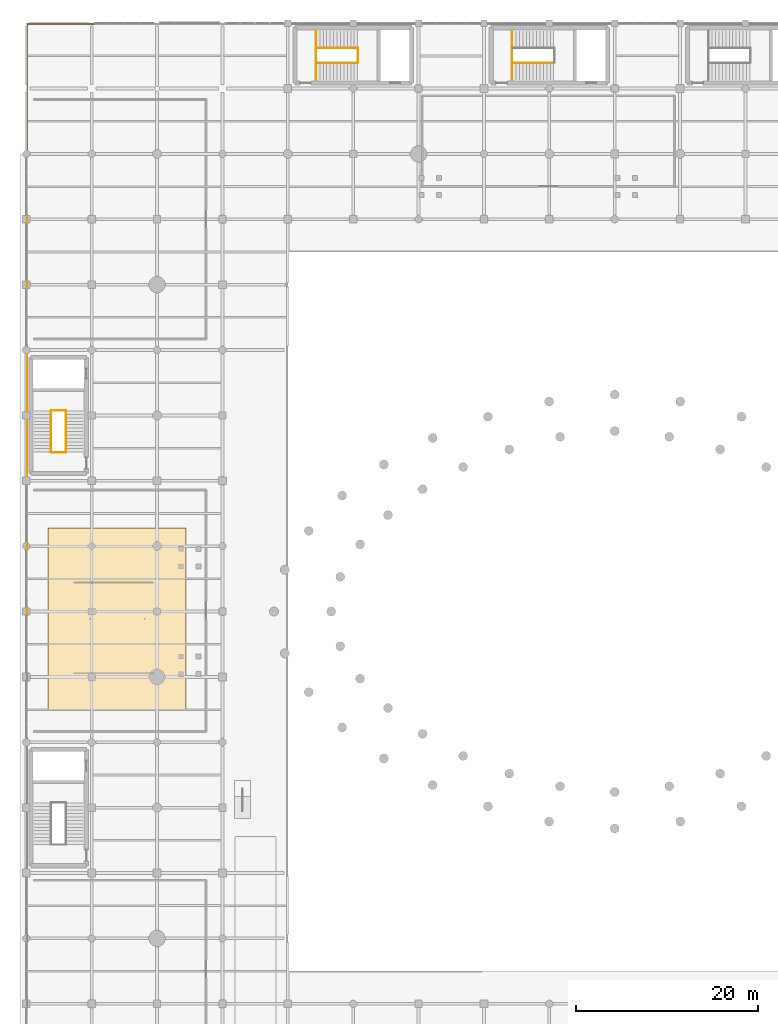
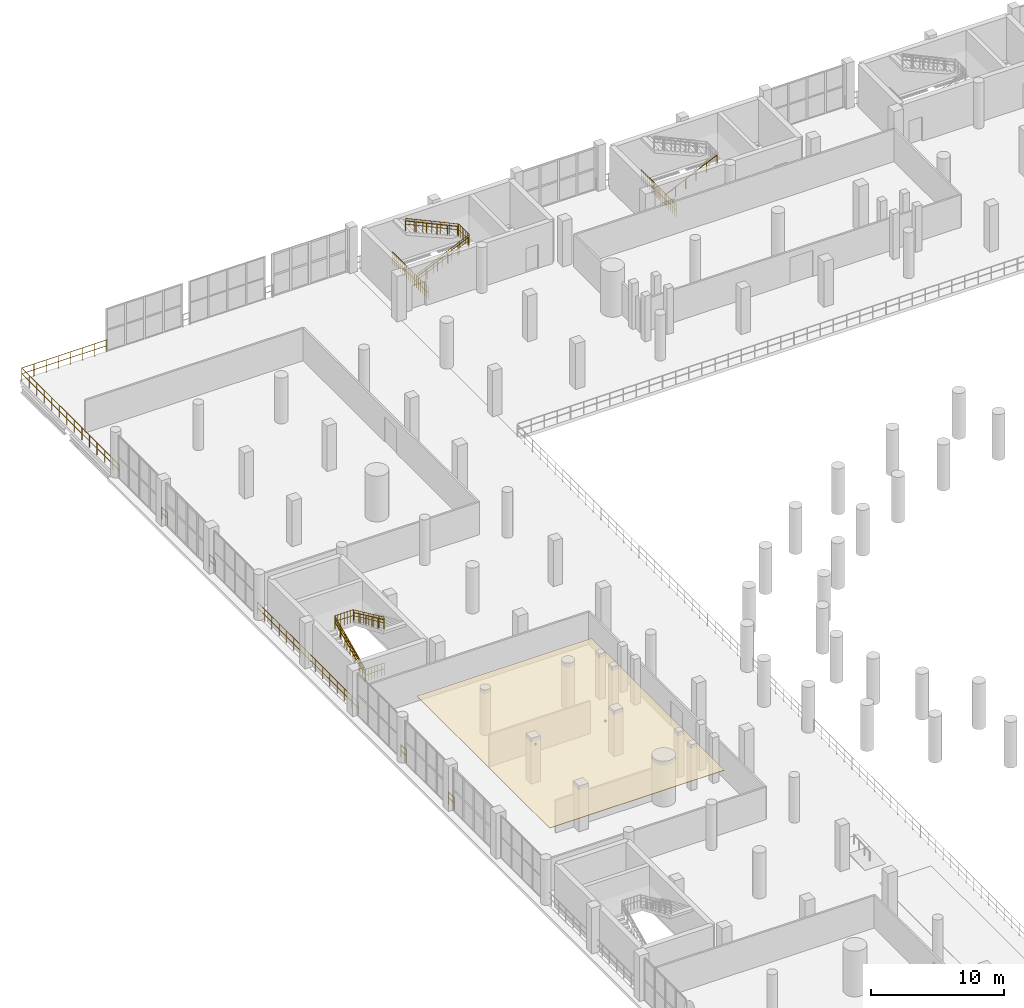
# One storey, part 147 of 153: 20 railings, 1 covering.
"""IFC4 building model written with IfcOpenShell, lengths in metres."""

from ifc_helpers import new_model, si_unit, direction, frame, origin, origin_2d, place, context, subcontext, project, spatial, polyline, circle, outline, extrude, material, layer, layer_set, type_object, element, save


model = new_model("IFC4")

# Units and contexts
model_context = context("Model", 3, precision=1e-05, world=origin(), true_north=direction((0.0, 1.0)))
body_context = subcontext(model_context, "Body", "Model", "MODEL_VIEW")
ifc_project = project(units=[si_unit("LENGTHUNIT", "METRE"), si_unit("AREAUNIT", "SQUARE_METRE"), si_unit("VOLUMEUNIT", "CUBIC_METRE"), si_unit("PLANEANGLEUNIT", "RADIAN"), si_unit("MASSUNIT", "GRAM", prefix="KILO")], contexts=[model_context])

# Site, building, storey
site_placement = place(None, origin())
site = spatial("IfcSite", under=ifc_project, at=site_placement, CompositionType="ELEMENT")
building_placement = place(site_placement, origin())
building = spatial("IfcBuilding", under=site, at=building_placement, Name="Qandorah Velis Arena", CompositionType="ELEMENT")
storey_placement = place(building_placement, frame((0.0, 0.0, 5.39990234375)))
storey = spatial("IfcBuildingStorey", under=building, at=storey_placement, Name="L01", CompositionType="ELEMENT", Elevation=5.39990234375)

# Covering
ifc_material_1 = material(Name="Perforated mineral-fibre acoustic ceiling cloud", Category="gypsum")
ifc_layer = layer(ifc_material_1, 0.044921875)
ifc_layer_set = layer_set([ifc_layer], Name="Perforated mineral-fibre acoustic ceiling cloud")
covering_type = type_object("IfcCoveringType", Name="ARC-COV-CEIL", PredefinedType="CEILING", material=ifc_layer_set)
covering_placement = place(storey_placement, frame((0.0, 0.0, 3.775146484375)))
element("IfcCovering", 1, at=covering_placement, inside=storey, type_object=covering_type, Name="Acoustic ceiling cloud AC-02", PredefinedType="CEILING", context=body_context, shape_type="SweptSolid", body=[
    extrude(outline(polyline([(2.39990234375, 54.0), (17.60009765625, 54.0), (17.60009765625, 74.0), (2.39990234375, 74.0), (2.39990234375, 54.0)])), origin(), (0.0, 0.0, 1.0), 0.044921875),
])

# Railings
ifc_material_2 = material(Name="Stainless steel 316", Category="steel")
railing_type_1 = type_object("IfcRailingType", Name="ARC-RL-GRD1150", PredefinedType="GUARDRAIL", material=ifc_material_2)
railing_1_placement = place(storey_placement, frame((31.909912109375, 123.360107421875, 0.0)))
element("IfcRailing", 2, at=railing_1_placement, inside=storey, type_object=railing_type_1, Name="Stair ST3 landing well-slot guardrail L01", PredefinedType="GUARDRAIL", context=body_context, shape_type="SweptSolid", body=[
    extrude(circle(Radius=0.02392578125, at=origin_2d()), frame((0.0, 0.0, 1.1259765625), z_axis=(0.0, 1.0, 0.0), x_axis=(-1.0, 0.0, 0.0)), (0.0, 0.0, 1.0), 5.3798828125),
    extrude(circle(Radius=0.02392578125, at=origin_2d()), frame((0.0, 0.0, 0.597900390625), z_axis=(0.0, 1.0, 0.0), x_axis=(-1.0, 0.0, 0.0)), (0.0, 0.0, 1.0), 5.3798828125),
    extrude(circle(Radius=0.02099609375, at=origin_2d()), origin(), (0.0, 0.0, 1.0), 1.101806640625),
    extrude(circle(Radius=0.02099609375, at=origin_2d()), frame((0.0, 0.298828125, 0.0)), (0.0, 0.0, 1.0), 1.101806640625),
    extrude(circle(Radius=0.02099609375, at=origin_2d()), frame((0.0, 0.59765625, 0.0)), (0.0, 0.0, 1.0), 1.101806640625),
    extrude(circle(Radius=0.02099609375, at=origin_2d()), frame((0.0, 0.896728515625, 0.0)), (0.0, 0.0, 1.0), 1.101806640625),
    extrude(circle(Radius=0.02099609375, at=origin_2d()), frame((0.0, 1.195556640625, 0.0)), (0.0, 0.0, 1.0), 1.101806640625),
    extrude(circle(Radius=0.02099609375, at=origin_2d()), frame((0.0, 1.494384765625, 0.0)), (0.0, 0.0, 1.0), 1.101806640625),
    extrude(circle(Radius=0.02099609375, at=origin_2d()), frame((0.0, 1.793212890625, 0.0)), (0.0, 0.0, 1.0), 1.101806640625),
    extrude(circle(Radius=0.02099609375, at=origin_2d()), frame((0.0, 2.09228515625, 0.0)), (0.0, 0.0, 1.0), 1.101806640625),
    extrude(circle(Radius=0.02099609375, at=origin_2d()), frame((0.0, 2.39111328125, 0.0)), (0.0, 0.0, 1.0), 1.101806640625),
    extrude(circle(Radius=0.02099609375, at=origin_2d()), frame((0.0, 2.68994140625, 0.0)), (0.0, 0.0, 1.0), 1.101806640625),
    extrude(circle(Radius=0.02099609375, at=origin_2d()), frame((0.0, 2.98876953125, 0.0)), (0.0, 0.0, 1.0), 1.101806640625),
    extrude(circle(Radius=0.02099609375, at=origin_2d()), frame((0.0, 3.28759765625, 0.0)), (0.0, 0.0, 1.0), 1.101806640625),
    extrude(circle(Radius=0.02099609375, at=origin_2d()), frame((0.0, 3.586669921875, 0.0)), (0.0, 0.0, 1.0), 1.101806640625),
    extrude(circle(Radius=0.02099609375, at=origin_2d()), frame((0.0, 3.885498046875, 0.0)), (0.0, 0.0, 1.0), 1.101806640625),
    extrude(circle(Radius=0.02099609375, at=origin_2d()), frame((0.0, 4.184326171875, 0.0)), (0.0, 0.0, 1.0), 1.101806640625),
    extrude(circle(Radius=0.02099609375, at=origin_2d()), frame((0.0, 4.483154296875, 0.0)), (0.0, 0.0, 1.0), 1.101806640625),
    extrude(circle(Radius=0.02099609375, at=origin_2d()), frame((0.0, 4.7822265625, 0.0)), (0.0, 0.0, 1.0), 1.101806640625),
    extrude(circle(Radius=0.02099609375, at=origin_2d()), frame((0.0, 5.0810546875, 0.0)), (0.0, 0.0, 1.0), 1.101806640625),
    extrude(circle(Radius=0.02099609375, at=origin_2d()), frame((0.0, 5.3798828125, 0.0)), (0.0, 0.0, 1.0), 1.101806640625),
])
railing_2_placement = place(storey_placement, frame((36.5458984375, 125.239990234375, 2.10009765625)))
element("IfcRailing", 3, at=railing_2_placement, inside=storey, type_object=railing_type_1, Name="Stair ST3 well guardrail (L01)", PredefinedType="GUARDRAIL", context=body_context, shape_type="SweptSolid", body=[
    extrude(circle(Radius=0.02392578125, at=origin_2d()), frame((0.0, 0.0, 1.1259765625), z_axis=(0.0, 1.0, 0.0), x_axis=(-1.0, 0.0, 0.0)), (0.0, 0.0, 1.0), 1.6201171875),
    extrude(circle(Radius=0.02392578125, at=origin_2d()), frame((0.0, 0.0, 0.597900390625), z_axis=(0.0, 1.0, 0.0), x_axis=(-1.0, 0.0, 0.0)), (0.0, 0.0, 1.0), 1.6201171875),
    extrude(circle(Radius=0.02099609375, at=origin_2d()), origin(), (0.0, 0.0, 1.0), 1.101806640625),
    extrude(circle(Radius=0.02099609375, at=origin_2d()), frame((0.0, 0.27001953125, 0.0)), (0.0, 0.0, 1.0), 1.101806640625),
    extrude(circle(Radius=0.02099609375, at=origin_2d()), frame((0.0, 0.5400390625, 0.0)), (0.0, 0.0, 1.0), 1.101806640625),
    extrude(circle(Radius=0.02099609375, at=origin_2d()), frame((0.0, 0.81005859375, 0.0)), (0.0, 0.0, 1.0), 1.101806640625),
    extrude(circle(Radius=0.02099609375, at=origin_2d()), frame((0.0, 1.080078125, 0.0)), (0.0, 0.0, 1.0), 1.101806640625),
    extrude(circle(Radius=0.02099609375, at=origin_2d()), frame((0.0, 1.35009765625, 0.0)), (0.0, 0.0, 1.0), 1.101806640625),
    extrude(circle(Radius=0.02099609375, at=origin_2d()), frame((0.0, 1.6201171875, 0.0)), (0.0, 0.0, 1.0), 1.101806640625),
])
railing_3_placement = place(storey_placement, frame((31.949951171875, 125.22998046875, 0.0)))
element("IfcRailing", 4, at=railing_3_placement, inside=storey, type_object=railing_type_1, Name="Stair ST3 inner flight 1 guardrail (L01)", PredefinedType="GUARDRAIL", context=body_context, shape_type="SweptSolid", body=[
    extrude(circle(Radius=0.02392578125, at=origin_2d()), frame((0.0, 0.0, 1.1259765625), z_axis=(0.907464148506, 0.0, 0.420129526666), x_axis=(0.0, 1.0, 0.0)), (0.0, 0.0, 1.0), 4.998779296875),
    extrude(circle(Radius=0.02392578125, at=origin_2d()), frame((0.0, 0.0, 0.597900390625), z_axis=(0.907464148506, 0.0, 0.420129526666), x_axis=(0.0, 1.0, 0.0)), (0.0, 0.0, 1.0), 4.998779296875),
    extrude(circle(Radius=0.02099609375, at=origin_2d()), origin(), (0.0, 0.0, 1.0), 1.101806640625),
    extrude(circle(Radius=0.02099609375, at=origin_2d()), frame((0.756103515625, 0.0, 0.35009765625)), (0.0, 0.0, 1.0), 1.101806640625),
    extrude(circle(Radius=0.02099609375, at=origin_2d()), frame((1.511962890625, 0.0, 0.699951171875)), (0.0, 0.0, 1.0), 1.101806640625),
    extrude(circle(Radius=0.02099609375, at=origin_2d()), frame((2.26806640625, 0.0, 1.050048828125)), (0.0, 0.0, 1.0), 1.101806640625),
    extrude(circle(Radius=0.02099609375, at=origin_2d()), frame((3.024169921875, 0.0, 1.400146484375)), (0.0, 0.0, 1.0), 1.101806640625),
    extrude(circle(Radius=0.02099609375, at=origin_2d()), frame((3.780029296875, 0.0, 1.75)), (0.0, 0.0, 1.0), 1.101806640625),
    extrude(circle(Radius=0.02099609375, at=origin_2d()), frame((4.5361328125, 0.0, 2.10009765625)), (0.0, 0.0, 1.0), 1.101806640625),
])
railing_4_placement = place(storey_placement, frame((36.486083984375, 126.8701171875, 2.10009765625)))
element("IfcRailing", 5, at=railing_4_placement, inside=storey, type_object=railing_type_1, Name="Stair ST3 inner flight 2 guardrail (L01)", PredefinedType="GUARDRAIL", context=body_context, shape_type="SweptSolid", body=[
    extrude(circle(Radius=0.02392578125, at=origin_2d()), frame((0.0, 0.0, 1.1259765625), z_axis=(-0.907464148506, 0.0, 0.420129526666), x_axis=(0.0, -1.0, 0.0)), (0.0, 0.0, 1.0), 4.998779296875),
    extrude(circle(Radius=0.02392578125, at=origin_2d()), frame((0.0, 0.0, 0.597900390625), z_axis=(-0.907464148506, 0.0, 0.420129526666), x_axis=(0.0, -1.0, 0.0)), (0.0, 0.0, 1.0), 4.998779296875),
    extrude(circle(Radius=0.02099609375, at=origin_2d()), origin(), (0.0, 0.0, 1.0), 1.101806640625),
    extrude(circle(Radius=0.02099609375, at=origin_2d()), frame((-0.756103515625, 0.0, 0.35009765625)), (0.0, 0.0, 1.0), 1.101806640625),
    extrude(circle(Radius=0.02099609375, at=origin_2d()), frame((-1.511962890625, 0.0, 0.699951171875)), (0.0, 0.0, 1.0), 1.101806640625),
    extrude(circle(Radius=0.02099609375, at=origin_2d()), frame((-2.26806640625, 0.0, 1.050048828125)), (0.0, 0.0, 1.0), 1.101806640625),
    extrude(circle(Radius=0.02099609375, at=origin_2d()), frame((-3.024169921875, 0.0, 1.400146484375)), (0.0, 0.0, 1.0), 1.101806640625),
    extrude(circle(Radius=0.02099609375, at=origin_2d()), frame((-3.780029296875, 0.0, 1.75)), (0.0, 0.0, 1.0), 1.101806640625),
    extrude(circle(Radius=0.02099609375, at=origin_2d()), frame((-4.5361328125, 0.0, 2.10009765625)), (0.0, 0.0, 1.0), 1.101806640625),
])
for number, where, name in (
    (6, (2.739990234375, 82.31005859375, 0.0), "Stair ST6 landing well-slot guardrail L01"),
    (7, (2.739990234375, 86.946044921875, 2.10009765625), "Stair ST6 well guardrail (L01)"),
):
    element("IfcRailing", number, at=place(storey_placement, frame(where)), inside=storey, type_object=railing_type_1, Name=name, PredefinedType="GUARDRAIL", context=body_context, shape_type="SweptSolid", body=[
        extrude(circle(Radius=0.02392578125, at=origin_2d()), frame((0.0, 0.0, 1.1259765625), z_axis=(1.0, 0.0, 0.0), x_axis=(0.0, 1.0, 0.0)), (0.0, 0.0, 1.0), 1.6201171875),
        extrude(circle(Radius=0.02392578125, at=origin_2d()), frame((0.0, 0.0, 0.597900390625), z_axis=(1.0, 0.0, 0.0), x_axis=(0.0, 1.0, 0.0)), (0.0, 0.0, 1.0), 1.6201171875),
        extrude(circle(Radius=0.02099609375, at=origin_2d()), origin(), (0.0, 0.0, 1.0), 1.101806640625),
        extrude(circle(Radius=0.02099609375, at=origin_2d()), frame((0.27001953125, 0.0, 0.0)), (0.0, 0.0, 1.0), 1.101806640625),
        extrude(circle(Radius=0.02099609375, at=origin_2d()), frame((0.5400390625, 0.0, 0.0)), (0.0, 0.0, 1.0), 1.101806640625),
        extrude(circle(Radius=0.02099609375, at=origin_2d()), frame((0.81005859375, 0.0, 0.0)), (0.0, 0.0, 1.0), 1.101806640625),
        extrude(circle(Radius=0.02099609375, at=origin_2d()), frame((1.080078125, 0.0, 0.0)), (0.0, 0.0, 1.0), 1.101806640625),
        extrude(circle(Radius=0.02099609375, at=origin_2d()), frame((1.35009765625, 0.0, 0.0)), (0.0, 0.0, 1.0), 1.101806640625),
        extrude(circle(Radius=0.02099609375, at=origin_2d()), frame((1.6201171875, 0.0, 0.0)), (0.0, 0.0, 1.0), 1.101806640625),
    ])
railing_5_placement = place(storey_placement, frame((2.72998046875, 82.35009765625, 0.0)))
element("IfcRailing", 8, at=railing_5_placement, inside=storey, type_object=railing_type_1, Name="Stair ST6 inner flight 1 guardrail (L01)", PredefinedType="GUARDRAIL", context=body_context, shape_type="SweptSolid", body=[
    extrude(circle(Radius=0.02392578125, at=origin_2d()), frame((0.0, 0.0, 1.1259765625), z_axis=(0.0, 0.907455527081, 0.420148148122), x_axis=(-1.0, 0.0, 0.0)), (0.0, 0.0, 1.0), 4.99853515625),
    extrude(circle(Radius=0.02392578125, at=origin_2d()), frame((0.0, 0.0, 0.597900390625), z_axis=(0.0, 0.907455527081, 0.420148148122), x_axis=(-1.0, 0.0, 0.0)), (0.0, 0.0, 1.0), 4.99853515625),
    extrude(circle(Radius=0.02099609375, at=origin_2d()), origin(), (0.0, 0.0, 1.0), 1.101806640625),
    extrude(circle(Radius=0.02099609375, at=origin_2d()), frame((0.0, 0.755859375, 0.35009765625)), (0.0, 0.0, 1.0), 1.101806640625),
    extrude(circle(Radius=0.02099609375, at=origin_2d()), frame((0.0, 1.511962890625, 0.699951171875)), (0.0, 0.0, 1.0), 1.101806640625),
    extrude(circle(Radius=0.02099609375, at=origin_2d()), frame((0.0, 2.26806640625, 1.050048828125)), (0.0, 0.0, 1.0), 1.101806640625),
    extrude(circle(Radius=0.02099609375, at=origin_2d()), frame((0.0, 3.02392578125, 1.400146484375)), (0.0, 0.0, 1.0), 1.101806640625),
    extrude(circle(Radius=0.02099609375, at=origin_2d()), frame((0.0, 3.77978515625, 1.75)), (0.0, 0.0, 1.0), 1.101806640625),
    extrude(circle(Radius=0.02099609375, at=origin_2d()), frame((0.0, 4.535888671875, 2.10009765625)), (0.0, 0.0, 1.0), 1.101806640625),
])
railing_6_placement = place(storey_placement, frame((4.3701171875, 86.885986328125, 2.10009765625)))
element("IfcRailing", 9, at=railing_6_placement, inside=storey, type_object=railing_type_1, Name="Stair ST6 inner flight 2 guardrail (L01)", PredefinedType="GUARDRAIL", context=body_context, shape_type="SweptSolid", body=[
    extrude(circle(Radius=0.02392578125, at=origin_2d()), frame((0.0, 0.0, 1.1259765625), z_axis=(0.0, -0.907455527081, 0.420148148122), x_axis=(1.0, 0.0, 0.0)), (0.0, 0.0, 1.0), 4.99853515625),
    extrude(circle(Radius=0.02392578125, at=origin_2d()), frame((0.0, 0.0, 0.597900390625), z_axis=(0.0, -0.907455527081, 0.420148148122), x_axis=(1.0, 0.0, 0.0)), (0.0, 0.0, 1.0), 4.99853515625),
    extrude(circle(Radius=0.02099609375, at=origin_2d()), origin(), (0.0, 0.0, 1.0), 1.101806640625),
    extrude(circle(Radius=0.02099609375, at=origin_2d()), frame((0.0, -0.755859375, 0.35009765625)), (0.0, 0.0, 1.0), 1.101806640625),
    extrude(circle(Radius=0.02099609375, at=origin_2d()), frame((0.0, -1.511962890625, 0.699951171875)), (0.0, 0.0, 1.0), 1.101806640625),
    extrude(circle(Radius=0.02099609375, at=origin_2d()), frame((0.0, -2.26806640625, 1.050048828125)), (0.0, 0.0, 1.0), 1.101806640625),
    extrude(circle(Radius=0.02099609375, at=origin_2d()), frame((0.0, -3.02392578125, 1.400146484375)), (0.0, 0.0, 1.0), 1.101806640625),
    extrude(circle(Radius=0.02099609375, at=origin_2d()), frame((0.0, -3.77978515625, 1.75)), (0.0, 0.0, 1.0), 1.101806640625),
    extrude(circle(Radius=0.02099609375, at=origin_2d()), frame((0.0, -4.535888671875, 2.10009765625)), (0.0, 0.0, 1.0), 1.101806640625),
])
railing_7_placement = place(storey_placement, frame((53.510009765625, 123.360107421875, 0.0)))
element("IfcRailing", 10, at=railing_7_placement, inside=storey, type_object=railing_type_1, Name="Stair ST10 landing well-slot guardrail L01", PredefinedType="GUARDRAIL", context=body_context, shape_type="SweptSolid", body=[
    extrude(circle(Radius=0.02392578125, at=origin_2d()), frame((0.0, 0.0, 1.1259765625), z_axis=(0.0, 1.0, 0.0), x_axis=(-1.0, 0.0, 0.0)), (0.0, 0.0, 1.0), 5.3798828125),
    extrude(circle(Radius=0.02392578125, at=origin_2d()), frame((0.0, 0.0, 0.597900390625), z_axis=(0.0, 1.0, 0.0), x_axis=(-1.0, 0.0, 0.0)), (0.0, 0.0, 1.0), 5.3798828125),
    extrude(circle(Radius=0.02099609375, at=origin_2d()), origin(), (0.0, 0.0, 1.0), 1.101806640625),
    extrude(circle(Radius=0.02099609375, at=origin_2d()), frame((0.0, 0.298828125, 0.0)), (0.0, 0.0, 1.0), 1.101806640625),
    extrude(circle(Radius=0.02099609375, at=origin_2d()), frame((0.0, 0.59765625, 0.0)), (0.0, 0.0, 1.0), 1.101806640625),
    extrude(circle(Radius=0.02099609375, at=origin_2d()), frame((0.0, 0.896728515625, 0.0)), (0.0, 0.0, 1.0), 1.101806640625),
    extrude(circle(Radius=0.02099609375, at=origin_2d()), frame((0.0, 1.195556640625, 0.0)), (0.0, 0.0, 1.0), 1.101806640625),
    extrude(circle(Radius=0.02099609375, at=origin_2d()), frame((0.0, 1.494384765625, 0.0)), (0.0, 0.0, 1.0), 1.101806640625),
    extrude(circle(Radius=0.02099609375, at=origin_2d()), frame((0.0, 1.793212890625, 0.0)), (0.0, 0.0, 1.0), 1.101806640625),
    extrude(circle(Radius=0.02099609375, at=origin_2d()), frame((0.0, 2.09228515625, 0.0)), (0.0, 0.0, 1.0), 1.101806640625),
    extrude(circle(Radius=0.02099609375, at=origin_2d()), frame((0.0, 2.39111328125, 0.0)), (0.0, 0.0, 1.0), 1.101806640625),
    extrude(circle(Radius=0.02099609375, at=origin_2d()), frame((0.0, 2.68994140625, 0.0)), (0.0, 0.0, 1.0), 1.101806640625),
    extrude(circle(Radius=0.02099609375, at=origin_2d()), frame((0.0, 2.98876953125, 0.0)), (0.0, 0.0, 1.0), 1.101806640625),
    extrude(circle(Radius=0.02099609375, at=origin_2d()), frame((0.0, 3.28759765625, 0.0)), (0.0, 0.0, 1.0), 1.101806640625),
    extrude(circle(Radius=0.02099609375, at=origin_2d()), frame((0.0, 3.586669921875, 0.0)), (0.0, 0.0, 1.0), 1.101806640625),
    extrude(circle(Radius=0.02099609375, at=origin_2d()), frame((0.0, 3.885498046875, 0.0)), (0.0, 0.0, 1.0), 1.101806640625),
    extrude(circle(Radius=0.02099609375, at=origin_2d()), frame((0.0, 4.184326171875, 0.0)), (0.0, 0.0, 1.0), 1.101806640625),
    extrude(circle(Radius=0.02099609375, at=origin_2d()), frame((0.0, 4.483154296875, 0.0)), (0.0, 0.0, 1.0), 1.101806640625),
    extrude(circle(Radius=0.02099609375, at=origin_2d()), frame((0.0, 4.7822265625, 0.0)), (0.0, 0.0, 1.0), 1.101806640625),
    extrude(circle(Radius=0.02099609375, at=origin_2d()), frame((0.0, 5.0810546875, 0.0)), (0.0, 0.0, 1.0), 1.101806640625),
    extrude(circle(Radius=0.02099609375, at=origin_2d()), frame((0.0, 5.3798828125, 0.0)), (0.0, 0.0, 1.0), 1.101806640625),
])
for number, where, name in (
    (11, (0.10009765625, 64.375, 0.0), "Slab edge safety guardrail L01-096"),
    (12, (0.10009765625, 71.574951171875, 0.0), "Slab edge safety guardrail L01-097"),
):
    element("IfcRailing", number, at=place(storey_placement, frame(where)), inside=storey, type_object=railing_type_1, Name=name, PredefinedType="GUARDRAIL", context=body_context, shape_type="SweptSolid", body=[
        extrude(circle(Radius=0.02392578125, at=origin_2d()), frame((0.0, 0.0, 1.1259765625), z_axis=(0.0, 1.0, 0.0), x_axis=(-1.0, 0.0, 0.0)), (0.0, 0.0, 1.0), 0.85009765625),
        extrude(circle(Radius=0.02392578125, at=origin_2d()), frame((0.0, 0.0, 0.597900390625), z_axis=(0.0, 1.0, 0.0), x_axis=(-1.0, 0.0, 0.0)), (0.0, 0.0, 1.0), 0.85009765625),
        extrude(circle(Radius=0.02099609375, at=origin_2d()), origin(), (0.0, 0.0, 1.0), 1.101806640625),
        extrude(circle(Radius=0.02099609375, at=origin_2d()), frame((0.0, 0.85009765625, 0.0)), (0.0, 0.0, 1.0), 1.101806640625),
    ])
railing_8_placement = place(storey_placement, frame((0.10009765625, 78.75, 0.0)))
element("IfcRailing", 13, at=railing_8_placement, inside=storey, type_object=railing_type_1, Name="Slab edge safety guardrail L01-098", PredefinedType="GUARDRAIL", context=body_context, shape_type="SweptSolid", body=[
    extrude(circle(Radius=0.02392578125, at=origin_2d()), frame((0.0, 0.0, 1.1259765625), z_axis=(0.0, 1.0, 0.0), x_axis=(-1.0, 0.0, 0.0)), (0.0, 0.0, 1.0), 15.27490234375),
    extrude(circle(Radius=0.02392578125, at=origin_2d()), frame((0.0, 0.0, 0.597900390625), z_axis=(0.0, 1.0, 0.0), x_axis=(-1.0, 0.0, 0.0)), (0.0, 0.0, 1.0), 15.27490234375),
    extrude(circle(Radius=0.02099609375, at=origin_2d()), origin(), (0.0, 0.0, 1.0), 1.101806640625),
    extrude(circle(Radius=0.02099609375, at=origin_2d()), frame((0.0, 1.091064453125, 0.0)), (0.0, 0.0, 1.0), 1.101806640625),
    extrude(circle(Radius=0.02099609375, at=origin_2d()), frame((0.0, 2.18212890625, 0.0)), (0.0, 0.0, 1.0), 1.101806640625),
    extrude(circle(Radius=0.02099609375, at=origin_2d()), frame((0.0, 3.273193359375, 0.0)), (0.0, 0.0, 1.0), 1.101806640625),
    extrude(circle(Radius=0.02099609375, at=origin_2d()), frame((0.0, 4.3642578125, 0.0)), (0.0, 0.0, 1.0), 1.101806640625),
    extrude(circle(Radius=0.02099609375, at=origin_2d()), frame((0.0, 5.455322265625, 0.0)), (0.0, 0.0, 1.0), 1.101806640625),
    extrude(circle(Radius=0.02099609375, at=origin_2d()), frame((0.0, 6.54638671875, 0.0)), (0.0, 0.0, 1.0), 1.101806640625),
    extrude(circle(Radius=0.02099609375, at=origin_2d()), frame((0.0, 7.637451171875, 0.0)), (0.0, 0.0, 1.0), 1.101806640625),
    extrude(circle(Radius=0.02099609375, at=origin_2d()), frame((0.0, 8.728515625, 0.0)), (0.0, 0.0, 1.0), 1.101806640625),
    extrude(circle(Radius=0.02099609375, at=origin_2d()), frame((0.0, 9.819580078125, 0.0)), (0.0, 0.0, 1.0), 1.101806640625),
    extrude(circle(Radius=0.02099609375, at=origin_2d()), frame((0.0, 10.91064453125, 0.0)), (0.0, 0.0, 1.0), 1.101806640625),
    extrude(circle(Radius=0.02099609375, at=origin_2d()), frame((0.0, 12.001708984375, 0.0)), (0.0, 0.0, 1.0), 1.101806640625),
    extrude(circle(Radius=0.02099609375, at=origin_2d()), frame((0.0, 13.0927734375, 0.0)), (0.0, 0.0, 1.0), 1.101806640625),
    extrude(circle(Radius=0.02099609375, at=origin_2d()), frame((0.0, 14.183837890625, 0.0)), (0.0, 0.0, 1.0), 1.101806640625),
    extrude(circle(Radius=0.02099609375, at=origin_2d()), frame((0.0, 15.27490234375, 0.0)), (0.0, 0.0, 1.0), 1.101806640625),
])
railing_9_placement = place(storey_placement, frame((0.10009765625, 100.35009765625, 0.0)))
element("IfcRailing", 14, at=railing_9_placement, inside=storey, type_object=railing_type_1, Name="Slab edge safety guardrail L01-099", PredefinedType="GUARDRAIL", context=body_context, shape_type="SweptSolid", body=[
    extrude(circle(Radius=0.02392578125, at=origin_2d()), frame((0.0, 0.0, 1.1259765625), z_axis=(0.0, 1.0, 0.0), x_axis=(-1.0, 0.0, 0.0)), (0.0, 0.0, 1.0), 0.89990234375),
    extrude(circle(Radius=0.02392578125, at=origin_2d()), frame((0.0, 0.0, 0.597900390625), z_axis=(0.0, 1.0, 0.0), x_axis=(-1.0, 0.0, 0.0)), (0.0, 0.0, 1.0), 0.89990234375),
    extrude(circle(Radius=0.02099609375, at=origin_2d()), origin(), (0.0, 0.0, 1.0), 1.101806640625),
    extrude(circle(Radius=0.02099609375, at=origin_2d()), frame((0.0, 0.89990234375, 0.0)), (0.0, 0.0, 1.0), 1.101806640625),
])
railing_10_placement = place(storey_placement, frame((0.10009765625, 107.574951171875, 0.0)))
element("IfcRailing", 15, at=railing_10_placement, inside=storey, type_object=railing_type_1, Name="Slab edge safety guardrail L01-100", PredefinedType="GUARDRAIL", context=body_context, shape_type="SweptSolid", body=[
    extrude(circle(Radius=0.02392578125, at=origin_2d()), frame((0.0, 0.0, 1.1259765625), z_axis=(0.0, 1.0, 0.0), x_axis=(-1.0, 0.0, 0.0)), (0.0, 0.0, 1.0), 0.85009765625),
    extrude(circle(Radius=0.02392578125, at=origin_2d()), frame((0.0, 0.0, 0.597900390625), z_axis=(0.0, 1.0, 0.0), x_axis=(-1.0, 0.0, 0.0)), (0.0, 0.0, 1.0), 0.85009765625),
    extrude(circle(Radius=0.02099609375, at=origin_2d()), origin(), (0.0, 0.0, 1.0), 1.101806640625),
    extrude(circle(Radius=0.02099609375, at=origin_2d()), frame((0.0, 0.85009765625, 0.0)), (0.0, 0.0, 1.0), 1.101806640625),
])
railing_11_placement = place(storey_placement, frame((0.10009765625, 114.77490234375, 0.0)))
element("IfcRailing", 16, at=railing_11_placement, inside=storey, type_object=railing_type_1, Name="Slab edge safety guardrail L01-101", PredefinedType="GUARDRAIL", context=body_context, shape_type="SweptSolid", body=[
    extrude(circle(Radius=0.02392578125, at=origin_2d()), frame((0.0, 0.0, 1.1259765625), z_axis=(0.0, 1.0, 0.0), x_axis=(-1.0, 0.0, 0.0)), (0.0, 0.0, 1.0), 14.72509765625),
    extrude(circle(Radius=0.02392578125, at=origin_2d()), frame((0.0, 0.0, 0.597900390625), z_axis=(0.0, 1.0, 0.0), x_axis=(-1.0, 0.0, 0.0)), (0.0, 0.0, 1.0), 14.72509765625),
    extrude(circle(Radius=0.02392578125, at=origin_2d()), frame((0.0, 14.72509765625, 1.1259765625), z_axis=(1.0, 0.0, 0.0), x_axis=(0.0, 1.0, 0.0)), (0.0, 0.0, 1.0), 7.39990234375),
    extrude(circle(Radius=0.02392578125, at=origin_2d()), frame((0.0, 14.72509765625, 0.597900390625), z_axis=(1.0, 0.0, 0.0), x_axis=(0.0, 1.0, 0.0)), (0.0, 0.0, 1.0), 7.39990234375),
    extrude(circle(Radius=0.02099609375, at=origin_2d()), origin(), (0.0, 0.0, 1.0), 1.101806640625),
    extrude(circle(Radius=0.02099609375, at=origin_2d()), frame((0.0, 1.1328125, 0.0)), (0.0, 0.0, 1.0), 1.101806640625),
    extrude(circle(Radius=0.02099609375, at=origin_2d()), frame((0.0, 2.265380859375, 0.0)), (0.0, 0.0, 1.0), 1.101806640625),
    extrude(circle(Radius=0.02099609375, at=origin_2d()), frame((0.0, 3.398193359375, 0.0)), (0.0, 0.0, 1.0), 1.101806640625),
    extrude(circle(Radius=0.02099609375, at=origin_2d()), frame((0.0, 4.53076171875, 0.0)), (0.0, 0.0, 1.0), 1.101806640625),
    extrude(circle(Radius=0.02099609375, at=origin_2d()), frame((0.0, 5.66357421875, 0.0)), (0.0, 0.0, 1.0), 1.101806640625),
    extrude(circle(Radius=0.02099609375, at=origin_2d()), frame((0.0, 6.796142578125, 0.0)), (0.0, 0.0, 1.0), 1.101806640625),
    extrude(circle(Radius=0.02099609375, at=origin_2d()), frame((0.0, 7.928955078125, 0.0)), (0.0, 0.0, 1.0), 1.101806640625),
    extrude(circle(Radius=0.02099609375, at=origin_2d()), frame((0.0, 9.0615234375, 0.0)), (0.0, 0.0, 1.0), 1.101806640625),
    extrude(circle(Radius=0.02099609375, at=origin_2d()), frame((0.0, 10.1943359375, 0.0)), (0.0, 0.0, 1.0), 1.101806640625),
    extrude(circle(Radius=0.02099609375, at=origin_2d()), frame((0.0, 11.326904296875, 0.0)), (0.0, 0.0, 1.0), 1.101806640625),
    extrude(circle(Radius=0.02099609375, at=origin_2d()), frame((0.0, 12.459716796875, 0.0)), (0.0, 0.0, 1.0), 1.101806640625),
    extrude(circle(Radius=0.02099609375, at=origin_2d()), frame((0.0, 13.59228515625, 0.0)), (0.0, 0.0, 1.0), 1.101806640625),
    extrude(circle(Radius=0.02099609375, at=origin_2d()), frame((0.0, 14.72509765625, 0.0)), (0.0, 0.0, 1.0), 1.101806640625),
    extrude(circle(Radius=0.02099609375, at=origin_2d()), frame((1.05712890625, 14.72509765625, 0.0)), (0.0, 0.0, 1.0), 1.101806640625),
    extrude(circle(Radius=0.02099609375, at=origin_2d()), frame((2.1142578125, 14.72509765625, 0.0)), (0.0, 0.0, 1.0), 1.101806640625),
    extrude(circle(Radius=0.02099609375, at=origin_2d()), frame((3.17138671875, 14.72509765625, 0.0)), (0.0, 0.0, 1.0), 1.101806640625),
    extrude(circle(Radius=0.02099609375, at=origin_2d()), frame((4.228515625, 14.72509765625, 0.0)), (0.0, 0.0, 1.0), 1.101806640625),
    extrude(circle(Radius=0.02099609375, at=origin_2d()), frame((5.28564453125, 14.72509765625, 0.0)), (0.0, 0.0, 1.0), 1.101806640625),
    extrude(circle(Radius=0.02099609375, at=origin_2d()), frame((6.3427734375, 14.72509765625, 0.0)), (0.0, 0.0, 1.0), 1.101806640625),
    extrude(circle(Radius=0.02099609375, at=origin_2d()), frame((7.39990234375, 14.72509765625, 0.0)), (0.0, 0.0, 1.0), 1.101806640625),
])
railing_type_2 = type_object("IfcRailingType", Name="ARC-RL-HND920", PredefinedType="HANDRAIL", material=ifc_material_2)
railing_12_placement = place(storey_placement, frame((31.949951171875, 125.22998046875, 0.0)))
element("IfcRailing", 17, at=railing_12_placement, inside=storey, type_object=railing_type_2, Name="Stair ST3 inner handrail 1 (L01)", PredefinedType="HANDRAIL", context=body_context, shape_type="SweptSolid", body=[
    extrude(circle(Radius=0.02392578125, at=origin_2d()), frame((0.0, 0.0, 0.89599609375), z_axis=(0.907464148506, 0.0, 0.420129526666), x_axis=(0.0, 1.0, 0.0)), (0.0, 0.0, 1.0), 4.998779296875),
    extrude(circle(Radius=0.02099609375, at=origin_2d()), origin(), (0.0, 0.0, 1.0), 0.871826171875),
    extrude(circle(Radius=0.02099609375, at=origin_2d()), frame((0.9072265625, 0.0, 0.419921875)), (0.0, 0.0, 1.0), 0.871826171875),
    extrude(circle(Radius=0.02099609375, at=origin_2d()), frame((1.814453125, 0.0, 0.840087890625)), (0.0, 0.0, 1.0), 0.871826171875),
    extrude(circle(Radius=0.02099609375, at=origin_2d()), frame((2.7216796875, 0.0, 1.260009765625)), (0.0, 0.0, 1.0), 0.871826171875),
    extrude(circle(Radius=0.02099609375, at=origin_2d()), frame((3.62890625, 0.0, 1.68017578125)), (0.0, 0.0, 1.0), 0.871826171875),
    extrude(circle(Radius=0.02099609375, at=origin_2d()), frame((4.5361328125, 0.0, 2.10009765625)), (0.0, 0.0, 1.0), 0.871826171875),
])
railing_13_placement = place(storey_placement, frame((36.486083984375, 126.8701171875, 2.10009765625)))
element("IfcRailing", 18, at=railing_13_placement, inside=storey, type_object=railing_type_2, Name="Stair ST3 inner handrail 2 (L01)", PredefinedType="HANDRAIL", context=body_context, shape_type="SweptSolid", body=[
    extrude(circle(Radius=0.02392578125, at=origin_2d()), frame((0.0, 0.0, 0.89599609375), z_axis=(-0.907464148506, 0.0, 0.420129526666), x_axis=(0.0, -1.0, 0.0)), (0.0, 0.0, 1.0), 4.998779296875),
    extrude(circle(Radius=0.02099609375, at=origin_2d()), origin(), (0.0, 0.0, 1.0), 0.871826171875),
    extrude(circle(Radius=0.02099609375, at=origin_2d()), frame((-0.9072265625, 0.0, 0.419921875)), (0.0, 0.0, 1.0), 0.871826171875),
    extrude(circle(Radius=0.02099609375, at=origin_2d()), frame((-1.814453125, 0.0, 0.840087890625)), (0.0, 0.0, 1.0), 0.871826171875),
    extrude(circle(Radius=0.02099609375, at=origin_2d()), frame((-2.7216796875, 0.0, 1.260009765625)), (0.0, 0.0, 1.0), 0.871826171875),
    extrude(circle(Radius=0.02099609375, at=origin_2d()), frame((-3.62890625, 0.0, 1.68017578125)), (0.0, 0.0, 1.0), 0.871826171875),
    extrude(circle(Radius=0.02099609375, at=origin_2d()), frame((-4.5361328125, 0.0, 2.10009765625)), (0.0, 0.0, 1.0), 0.871826171875),
])
railing_14_placement = place(storey_placement, frame((2.72998046875, 82.35009765625, 0.0)))
element("IfcRailing", 19, at=railing_14_placement, inside=storey, type_object=railing_type_2, Name="Stair ST6 inner handrail 1 (L01)", PredefinedType="HANDRAIL", context=body_context, shape_type="SweptSolid", body=[
    extrude(circle(Radius=0.02392578125, at=origin_2d()), frame((0.0, 0.0, 0.89599609375), z_axis=(0.0, 0.907455527081, 0.420148148122), x_axis=(-1.0, 0.0, 0.0)), (0.0, 0.0, 1.0), 4.99853515625),
    extrude(circle(Radius=0.02099609375, at=origin_2d()), origin(), (0.0, 0.0, 1.0), 0.871826171875),
    extrude(circle(Radius=0.02099609375, at=origin_2d()), frame((0.0, 0.9072265625, 0.419921875)), (0.0, 0.0, 1.0), 0.871826171875),
    extrude(circle(Radius=0.02099609375, at=origin_2d()), frame((0.0, 1.814453125, 0.840087890625)), (0.0, 0.0, 1.0), 0.871826171875),
    extrude(circle(Radius=0.02099609375, at=origin_2d()), frame((0.0, 2.721435546875, 1.260009765625)), (0.0, 0.0, 1.0), 0.871826171875),
    extrude(circle(Radius=0.02099609375, at=origin_2d()), frame((0.0, 3.628662109375, 1.68017578125)), (0.0, 0.0, 1.0), 0.871826171875),
    extrude(circle(Radius=0.02099609375, at=origin_2d()), frame((0.0, 4.535888671875, 2.10009765625)), (0.0, 0.0, 1.0), 0.871826171875),
])
railing_15_placement = place(storey_placement, frame((4.3701171875, 86.885986328125, 2.10009765625)))
element("IfcRailing", 20, at=railing_15_placement, inside=storey, type_object=railing_type_2, Name="Stair ST6 inner handrail 2 (L01)", PredefinedType="HANDRAIL", context=body_context, shape_type="SweptSolid", body=[
    extrude(circle(Radius=0.02392578125, at=origin_2d()), frame((0.0, 0.0, 0.89599609375), z_axis=(0.0, -0.907455527081, 0.420148148122), x_axis=(1.0, 0.0, 0.0)), (0.0, 0.0, 1.0), 4.99853515625),
    extrude(circle(Radius=0.02099609375, at=origin_2d()), origin(), (0.0, 0.0, 1.0), 0.871826171875),
    extrude(circle(Radius=0.02099609375, at=origin_2d()), frame((0.0, -0.9072265625, 0.419921875)), (0.0, 0.0, 1.0), 0.871826171875),
    extrude(circle(Radius=0.02099609375, at=origin_2d()), frame((0.0, -1.814453125, 0.840087890625)), (0.0, 0.0, 1.0), 0.871826171875),
    extrude(circle(Radius=0.02099609375, at=origin_2d()), frame((0.0, -2.721435546875, 1.260009765625)), (0.0, 0.0, 1.0), 0.871826171875),
    extrude(circle(Radius=0.02099609375, at=origin_2d()), frame((0.0, -3.628662109375, 1.68017578125)), (0.0, 0.0, 1.0), 0.871826171875),
    extrude(circle(Radius=0.02099609375, at=origin_2d()), frame((0.0, -4.535888671875, 2.10009765625)), (0.0, 0.0, 1.0), 0.871826171875),
])
railing_16_placement = place(storey_placement, frame((53.550048828125, 125.22998046875, 0.0)))
element("IfcRailing", 21, at=railing_16_placement, inside=storey, type_object=railing_type_2, Name="Stair ST10 inner handrail 1 (L01)", PredefinedType="HANDRAIL", context=body_context, shape_type="SweptSolid", body=[
    extrude(circle(Radius=0.02392578125, at=origin_2d()), frame((0.0, 0.0, 0.89599609375), z_axis=(0.907455527081, 0.0, 0.420148148122), x_axis=(0.0, 1.0, 0.0)), (0.0, 0.0, 1.0), 4.99853515625),
    extrude(circle(Radius=0.02099609375, at=origin_2d()), origin(), (0.0, 0.0, 1.0), 0.871826171875),
    extrude(circle(Radius=0.02099609375, at=origin_2d()), frame((0.9072265625, 0.0, 0.419921875)), (0.0, 0.0, 1.0), 0.871826171875),
    extrude(circle(Radius=0.02099609375, at=origin_2d()), frame((1.814453125, 0.0, 0.840087890625)), (0.0, 0.0, 1.0), 0.871826171875),
    extrude(circle(Radius=0.02099609375, at=origin_2d()), frame((2.721435546875, 0.0, 1.260009765625)), (0.0, 0.0, 1.0), 0.871826171875),
    extrude(circle(Radius=0.02099609375, at=origin_2d()), frame((3.628662109375, 0.0, 1.68017578125)), (0.0, 0.0, 1.0), 0.871826171875),
    extrude(circle(Radius=0.02099609375, at=origin_2d()), frame((4.535888671875, 0.0, 2.10009765625)), (0.0, 0.0, 1.0), 0.871826171875),
])

save(model, "model.ifc")
